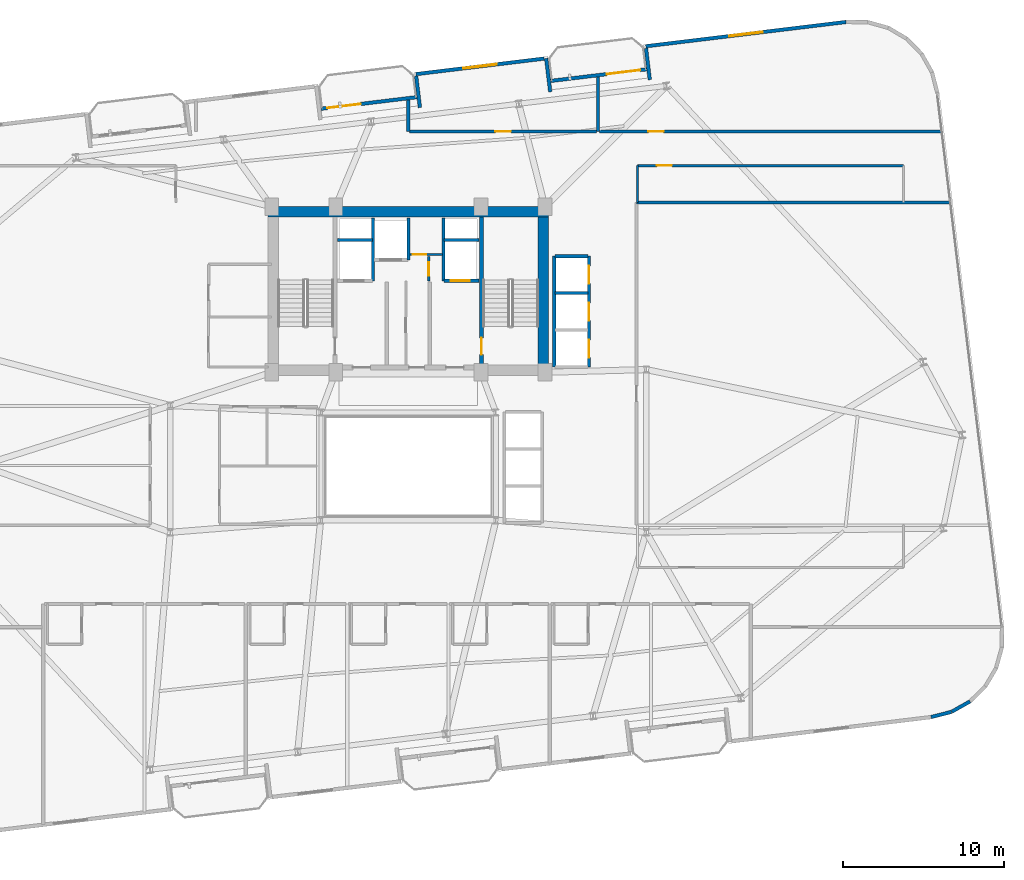
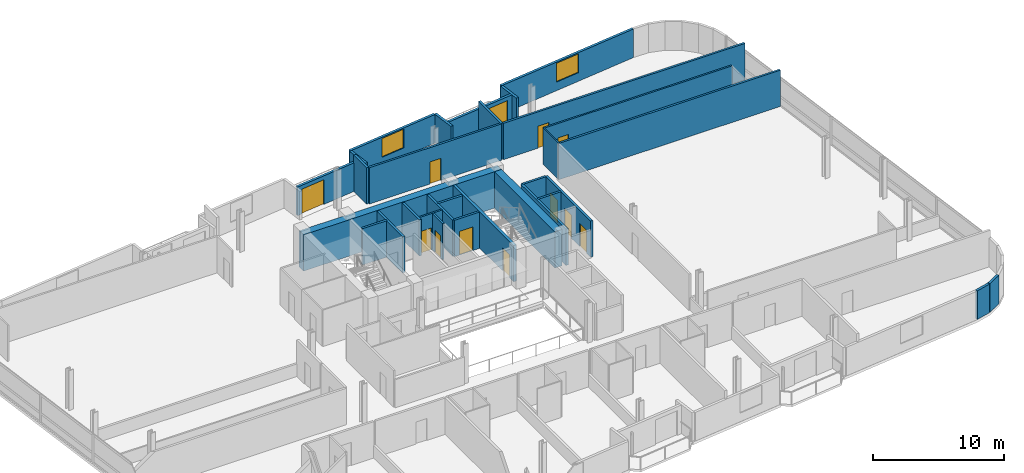
# One storey, part 17 of 22: 31 walls, 12 doors, 2 windows, 14 openings.
"""IFC4 building model written with IfcOpenShell, lengths in metres."""

from ifc_helpers import new_model, si_unit, direction, frame, frame_2d, origin, place, context, subcontext, project, spatial, rectangle, extrude, material, layer, layer_set, type_object, element, fill, save


model = new_model("IFC4")

# Units and contexts
model_context = context("Model", 3, precision=1e-05, world=origin(), true_north=direction((0.0, 1.0)))
body_context = subcontext(model_context, "Body", "Model", "MODEL_VIEW")
ifc_project = project(units=[si_unit("LENGTHUNIT", "METRE"), si_unit("AREAUNIT", "SQUARE_METRE"), si_unit("VOLUMEUNIT", "CUBIC_METRE"), si_unit("PLANEANGLEUNIT", "RADIAN"), si_unit("MASSUNIT", "GRAM", prefix="KILO")], contexts=[model_context])

# Site, building, storey
site_placement = place(None, origin())
site = spatial("IfcSite", under=ifc_project, at=site_placement, CompositionType="ELEMENT")
building_placement = place(site_placement, origin())
building = spatial("IfcBuilding", under=site, at=building_placement, Name="Varnelok Gate Tower", CompositionType="ELEMENT")
storey_placement = place(building_placement, frame((0.0, 0.0, 204.199951171875)))
storey = spatial("IfcBuildingStorey", under=building, at=storey_placement, Name="L52", CompositionType="ELEMENT", Elevation=204.199951171875)

# Wall, opening, door
ifc_material_1 = material(Name="Concrete C45/55", Category="concrete")
ifc_layer_1 = layer(ifc_material_1, 0.219970703125)
ifc_layer_set_1 = layer_set([ifc_layer_1], Name="Concrete C45/55")
wall_type_1 = type_object("IfcWallType", Name="EW-BALC-220", PredefinedType="SOLIDWALL", material=ifc_layer_set_1)
wall_1_placement = place(storey_placement, frame((33.772705078125, 45.14111328125, 0.0), z_axis=(0.0, 0.0, 1.0), x_axis=(0.992735402148, 0.120318000826, 0.0)))
wall_1 = element("IfcWall", 1, at=wall_1_placement, inside=storey, type_object=wall_type_1, Name="L52 North Terrace Envelope Wall 5", PredefinedType="SOLIDWALL", context=body_context, shape_type="SweptSolid", body=[
    extrude(rectangle(XDim=6.000244140625, YDim=0.219970703125, at=frame_2d((3.0, 0.0))), origin(), (0.0, 0.0, 1.0), 2.66015625),
])
opening_1_placement = place(wall_1_placement, frame((0.39990234375, 0.0, 0.0)))
opening_1 = element("IfcOpeningElement", 2, at=opening_1_placement, cuts=wall_1, Name="Opening BD-2", PredefinedType="OPENING", context=body_context, shape_type="SweptSolid", body=[
    extrude(rectangle(XDim=2.10009765625, YDim=2.300048828125, at=frame_2d((1.050048828125, 1.14990234375))), frame((0.0, 0.119873046875, 0.0), z_axis=(0.0, -1.0, 0.0), x_axis=(1.0, 0.0, 0.0)), (0.0, 0.0, 1.0), 0.239990234375),
])
ifc_material_2 = material(Name="Anodized Aluminum Alloy 6063-T6", Category="aluminium")
door_type_1 = type_object("IfcDoorType", Name="DR-EXT-SLID2100", OperationType="SLIDING_TO_LEFT", PredefinedType="DOOR", material=ifc_material_2)
door_1_placement = place(opening_1_placement, origin())
door_1 = element("IfcDoor", 3, at=door_1_placement, inside=storey, type_object=door_type_1, Name="L52 North Balcony Glazed Door 5", OperationType="SLIDING_TO_LEFT", OverallHeight=2.300048828125, OverallWidth=2.10009765625, PredefinedType="DOOR", context=body_context, shape_type="SweptSolid", body=[
    extrude(rectangle(XDim=2.10009765625, YDim=2.300048828125, at=frame_2d((1.050048828125, 1.14990234375))), frame((0.0, 0.02490234375, 0.0), z_axis=(0.0, -1.0, 0.0), x_axis=(1.0, 0.0, 0.0)), (0.0, 0.0, 1.0), 0.050048828125),
])
fill(opening_1, door_1)

wall_2_placement = place(storey_placement, frame((48.068115234375, 46.8740234375, 0.0), z_axis=(0.0, 0.0, 1.0), x_axis=(0.992729951822, 0.120362962556, 0.0)))
wall_2 = element("IfcWall", 4, at=wall_2_placement, inside=storey, type_object=wall_type_1, Name="L52 North Terrace Envelope Wall 6", PredefinedType="SOLIDWALL", context=body_context, shape_type="SweptSolid", body=[
    extrude(rectangle(XDim=6.0, YDim=0.219970703125, at=frame_2d((3.0, 0.0))), origin(), (0.0, 0.0, 1.0), 2.66015625),
])
opening_2_placement = place(wall_2_placement, frame((3.5, 0.0, 0.0)))
opening_2 = element("IfcOpeningElement", 5, at=opening_2_placement, cuts=wall_2, Name="Opening BD-2", PredefinedType="OPENING", context=body_context, shape_type="SweptSolid", body=[
    extrude(rectangle(XDim=2.10009765625, YDim=2.300048828125, at=frame_2d((1.050048828125, 1.14990234375))), frame((0.0, 0.119873046875, 0.0), z_axis=(0.0, -1.0, 0.0), x_axis=(1.0, 0.0, 0.0)), (0.0, 0.0, 1.0), 0.239990234375),
])
door_2_placement = place(opening_2_placement, origin())
door_2 = element("IfcDoor", 6, at=door_2_placement, inside=storey, type_object=door_type_1, Name="L52 North Balcony Glazed Door 6", OperationType="SLIDING_TO_LEFT", OverallHeight=2.300048828125, OverallWidth=2.10009765625, PredefinedType="DOOR", context=body_context, shape_type="SweptSolid", body=[
    extrude(rectangle(XDim=2.10009765625, YDim=2.300048828125, at=frame_2d((1.050048828125, 1.14990234375))), frame((0.0, 0.02490234375, 0.0), z_axis=(0.0, -1.0, 0.0), x_axis=(1.0, 0.0, 0.0)), (0.0, 0.0, 1.0), 0.050048828125),
])
fill(opening_2, door_2)

# Walls
wall_3_placement = place(storey_placement, frame((71.71875, 7.305908203125, 0.0), z_axis=(0.0, 0.0, 1.0), x_axis=(0.968541764193, 0.248851061909, 0.0)))
element("IfcWall", 7, at=wall_3_placement, inside=storey, type_object=wall_type_1, Name="L52 Perimeter Facade Closure Wall 17", PredefinedType="SOLIDWALL", context=body_context, shape_type="SweptSolid", body=[
    extrude(rectangle(XDim=1.308837890625, YDim=0.219970703125, at=frame_2d((0.654296875, 0.0))), origin(), (0.0, 0.0, 1.0), 2.66015625),
])
wall_4_placement = place(storey_placement, frame((73.00830078125, 7.64404296875, 0.0), z_axis=(0.0, 0.0, 1.0), x_axis=(0.87105877335, 0.491178799797, 0.0)))
element("IfcWall", 8, at=wall_4_placement, inside=storey, type_object=wall_type_1, Name="L52 Perimeter Facade Closure Wall 18", PredefinedType="SOLIDWALL", context=body_context, shape_type="SweptSolid", body=[
    extrude(rectangle(XDim=1.30078125, YDim=0.219970703125, at=frame_2d((0.650390625, 0.0))), origin(), (0.0, 0.0, 1.0), 2.66015625),
])

# Wall, opening, window
wall_5_placement = place(storey_placement, frame((66.427490234375, 50.5400390625, 0.0), z_axis=(0.0, 0.0, 1.0), x_axis=(-0.992731739233, -0.120348219431, 0.0)))
wall_5 = element("IfcWall", 9, at=wall_5_placement, inside=storey, type_object=wall_type_1, Name="L52 Perimeter Facade Closure Wall 29", PredefinedType="SOLIDWALL", context=body_context, shape_type="SweptSolid", body=[
    extrude(rectangle(XDim=12.547119140625, YDim=0.219970703125, at=frame_2d((6.2734375, 0.0))), origin(), (0.0, 0.0, 1.0), 2.66015625),
])
opening_3_placement = place(wall_5_placement, frame((5.2236328125, 0.0, 0.800048828125)))
opening_3 = element("IfcOpeningElement", 10, at=opening_3_placement, cuts=wall_5, Name="Opening WN4", PredefinedType="OPENING", context=body_context, shape_type="SweptSolid", body=[
    extrude(rectangle(XDim=2.10009765625, YDim=1.75, at=frame_2d((1.050048828125, 0.875))), frame((0.0, 0.119873046875, 0.0), z_axis=(0.0, -1.0, 0.0), x_axis=(1.0, 0.0, 0.0)), (0.0, 0.0, 1.0), 0.239990234375),
])
ifc_material_3 = material(Name="Low-E Laminated Double Glazing IGU", Category="glass")
window_type = type_object("IfcWindowType", Name="WN-SUI-2100", PartitioningType="SINGLE_PANEL", PredefinedType="WINDOW", material=ifc_material_3)
window_1_placement = place(opening_3_placement, origin())
window_1 = element("IfcWindow", 11, at=window_1_placement, inside=storey, type_object=window_type, Name="L52 Perimeter Vision Window 29", OverallHeight=1.75, OverallWidth=2.10009765625, PartitioningType="SINGLE_PANEL", PredefinedType="WINDOW", context=body_context, shape_type="SweptSolid", body=[
    extrude(rectangle(XDim=2.10009765625, YDim=1.75, at=frame_2d((1.050048828125, 0.875))), frame((0.0, 0.030029296875, 0.0), z_axis=(0.0, -1.0, 0.0), x_axis=(1.0, 0.0, 0.0)), (0.0, 0.0, 1.0), 0.06005859375),
])
fill(opening_3, window_1)

# Walls
wall_6_placement = place(storey_placement, frame((53.986572265625, 48.906005859375, 0.0), z_axis=(0.0, 0.0, 1.0), x_axis=(0.120397815541, -0.992725725472, 0.0)))
element("IfcWall", 12, at=wall_6_placement, inside=storey, type_object=wall_type_1, Name="L52 Perimeter Facade Closure Wall 30", PredefinedType="SOLIDWALL", context=body_context, shape_type="SweptSolid", body=[
    extrude(rectangle(XDim=1.97509765625, YDim=0.219970703125, at=frame_2d((0.987548828125, 0.0))), origin(), (0.0, 0.0, 1.0), 2.66015625),
])
wall_7_placement = place(storey_placement, frame((48.029541015625, 46.1943359375, 0.0), z_axis=(0.0, 0.0, 1.0), x_axis=(-0.120314009587, 0.992735885871, 0.0)))
element("IfcWall", 13, at=wall_7_placement, inside=storey, type_object=wall_type_1, Name="L52 Perimeter Facade Closure Wall 31", PredefinedType="SOLIDWALL", context=body_context, shape_type="SweptSolid", body=[
    extrude(rectangle(XDim=2.10009765625, YDim=0.219970703125, at=frame_2d((1.050048828125, 0.0))), origin(), (0.0, 0.0, 1.0), 2.66015625),
])

# Wall, opening, window
wall_8_placement = place(storey_placement, frame((47.65283203125, 48.26416015625, 0.0), z_axis=(0.0, 0.0, 1.0), x_axis=(-0.992731032022, -0.120354052946, 0.0)))
wall_8 = element("IfcWall", 14, at=wall_8_placement, inside=storey, type_object=wall_type_1, Name="L52 Perimeter Facade Closure Wall 32", PredefinedType="SOLIDWALL", context=body_context, shape_type="SweptSolid", body=[
    extrude(rectangle(XDim=8.034912109375, YDim=0.219970703125, at=frame_2d((4.017578125, 0.0))), origin(), (0.0, 0.0, 1.0), 2.66015625),
])
opening_4_placement = place(wall_8_placement, frame((2.967529296875, 0.0, 0.800048828125)))
opening_4 = element("IfcOpeningElement", 15, at=opening_4_placement, cuts=wall_8, Name="Opening WN4", PredefinedType="OPENING", context=body_context, shape_type="SweptSolid", body=[
    extrude(rectangle(XDim=2.10009765625, YDim=1.75, at=frame_2d((1.050048828125, 0.875))), frame((0.0, 0.119873046875, 0.0), z_axis=(0.0, -1.0, 0.0), x_axis=(1.0, 0.0, 0.0)), (0.0, 0.0, 1.0), 0.239990234375),
])
window_2_placement = place(opening_4_placement, origin())
window_2 = element("IfcWindow", 16, at=window_2_placement, inside=storey, type_object=window_type, Name="L52 Perimeter Vision Window 32", OverallHeight=1.75, OverallWidth=2.10009765625, PartitioningType="SINGLE_PANEL", PredefinedType="WINDOW", context=body_context, shape_type="SweptSolid", body=[
    extrude(rectangle(XDim=2.10009765625, YDim=1.75, at=frame_2d((1.050048828125, 0.875))), frame((0.0, 0.030029296875, 0.0), z_axis=(0.0, -1.0, 0.0), x_axis=(1.0, 0.0, 0.0)), (0.0, 0.0, 1.0), 0.06005859375),
])
fill(opening_4, window_2)

# Wall
wall_9_placement = place(storey_placement, frame((39.691162109375, 47.173095703125, 0.0), z_axis=(0.0, 0.0, 1.0), x_axis=(0.120397815541, -0.992725725472, 0.0)))
element("IfcWall", 17, at=wall_9_placement, inside=storey, type_object=wall_type_1, Name="L52 Perimeter Facade Closure Wall 33", PredefinedType="SOLIDWALL", context=body_context, shape_type="SweptSolid", body=[
    extrude(rectangle(XDim=1.97509765625, YDim=0.219970703125, at=frame_2d((0.987548828125, 0.0))), origin(), (0.0, 0.0, 1.0), 2.66015625),
])

# Wall, opening, door
ifc_material_4 = material(Name="Gypsum Plasterboard Acoustic Partition", Category="gypsum")
ifc_layer_2 = layer(ifc_material_4, 0.179931640625)
ifc_layer_set_2 = layer_set([ifc_layer_2], Name="Gypsum Plasterboard Acoustic Partition")
wall_type_2 = type_object("IfcWallType", Name="PW-CORR-180", PredefinedType="PARTITIONING", material=ifc_layer_set_2)
wall_10_placement = place(storey_placement, frame((39.280029296875, 43.72998046875, 0.0), z_axis=(0.0, 0.0, 1.0), x_axis=(1.0, 0.0, 0.0)))
wall_10 = element("IfcWall", 18, at=wall_10_placement, inside=storey, type_object=wall_type_2, Name="Interior Partition", PredefinedType="PARTITIONING", context=body_context, shape_type="SweptSolid", body=[
    extrude(rectangle(XDim=11.639892578125, YDim=0.179931640625, at=frame_2d((5.81982421875, 0.0))), origin(), (0.0, 0.0, 1.0), 3.380126953125),
])
opening_5_placement = place(wall_10_placement, frame((5.344970703125, 0.0, 0.0)))
opening_5 = element("IfcOpeningElement", 19, at=opening_5_placement, cuts=wall_10, Name="Opening D-I2", PredefinedType="OPENING", context=body_context, shape_type="SweptSolid", body=[
    extrude(rectangle(XDim=0.949951171875, YDim=2.050048828125, at=frame_2d((0.47509765625, 1.02490234375))), frame((0.0, 0.099853515625, 0.0), z_axis=(0.0, -1.0, 0.0), x_axis=(1.0, 0.0, 0.0)), (0.0, 0.0, 1.0), 0.199951171875),
])
ifc_material_5 = material(Name="Engineered Hardwood Timber", Category="wood")
door_type_2 = type_object("IfcDoorType", Name="DR-INT-950", OperationType="NOTDEFINED", PredefinedType="DOOR", material=ifc_material_5)
door_3_placement = place(opening_5_placement, origin())
door_3 = element("IfcDoor", 20, at=door_3_placement, inside=storey, type_object=door_type_2, Name="L52 Wellness Spa Lounge Door", OperationType="SINGLE_SWING_LEFT", OverallHeight=2.050048828125, OverallWidth=0.949951171875, PredefinedType="DOOR", context=body_context, shape_type="SweptSolid", body=[
    extrude(rectangle(XDim=0.949951171875, YDim=2.050048828125, at=frame_2d((0.47509765625, 1.02490234375))), frame((0.0, 0.02490234375, 0.0), z_axis=(0.0, -1.0, 0.0), x_axis=(1.0, 0.0, 0.0)), (0.0, 0.0, 1.0), 0.050048828125),
])
fill(opening_5, door_3)

wall_11_placement = place(storey_placement, frame((51.080078125, 43.72998046875, 0.0), z_axis=(0.0, 0.0, 1.0), x_axis=(1.0, 0.0, 0.0)))
wall_11 = element("IfcWall", 21, at=wall_11_placement, inside=storey, type_object=wall_type_2, Name="Interior Partition", PredefinedType="PARTITIONING", context=body_context, shape_type="SweptSolid", body=[
    extrude(rectangle(XDim=21.26318359375, YDim=0.179931640625, at=frame_2d((10.631591796875, 0.0))), origin(), (0.0, 0.0, 1.0), 3.380126953125),
])
opening_6_placement = place(wall_11_placement, frame((3.054931640625, 0.0, 0.0)))
opening_6 = element("IfcOpeningElement", 22, at=opening_6_placement, cuts=wall_11, Name="Opening D-I2", PredefinedType="OPENING", context=body_context, shape_type="SweptSolid", body=[
    extrude(rectangle(XDim=0.949951171875, YDim=2.050048828125, at=frame_2d((0.47509765625, 1.02490234375))), frame((0.0, 0.099853515625, 0.0), z_axis=(0.0, -1.0, 0.0), x_axis=(1.0, 0.0, 0.0)), (0.0, 0.0, 1.0), 0.199951171875),
])
door_4_placement = place(opening_6_placement, origin())
door_4 = element("IfcDoor", 23, at=door_4_placement, inside=storey, type_object=door_type_2, Name="L52 Children Playroom Door", OperationType="SINGLE_SWING_LEFT", OverallHeight=2.050048828125, OverallWidth=0.949951171875, PredefinedType="DOOR", context=body_context, shape_type="SweptSolid", body=[
    extrude(rectangle(XDim=0.949951171875, YDim=2.050048828125, at=frame_2d((0.47509765625, 1.02490234375))), frame((0.0, 0.02490234375, 0.0), z_axis=(0.0, -1.0, 0.0), x_axis=(1.0, 0.0, 0.0)), (0.0, 0.0, 1.0), 0.050048828125),
])
fill(opening_6, door_4)

# Walls
wall_12_placement = place(storey_placement, frame((53.389892578125, 39.300048828125, 0.0), z_axis=(0.0, 0.0, 1.0), x_axis=(1.0, 0.0, 0.0)))
element("IfcWall", 24, at=wall_12_placement, inside=storey, type_object=wall_type_2, Name="Interior Partition", PredefinedType="PARTITIONING", context=body_context, shape_type="SweptSolid", body=[
    extrude(rectangle(XDim=19.490234375, YDim=0.179931640625, at=frame_2d((9.7451171875, 0.0))), origin(), (0.0, 0.0, 1.0), 3.380126953125),
])
ifc_layer_3 = layer(ifc_material_4, 0.125)
ifc_layer_set_3 = layer_set([ifc_layer_3], Name="Gypsum Plasterboard Acoustic Partition")
wall_type_3 = type_object("IfcWallType", Name="PW-PART-125", PredefinedType="PARTITIONING", material=ifc_layer_set_3)
wall_13_placement = place(storey_placement, frame((53.449951171875, 39.300048828125, 0.0), z_axis=(0.0, 0.0, 1.0), x_axis=(0.0, 1.0, 0.0)))
element("IfcWall", 25, at=wall_13_placement, inside=storey, type_object=wall_type_3, Name="Interior Partition", PredefinedType="PARTITIONING", context=body_context, shape_type="SweptSolid", body=[
    extrude(rectangle(XDim=2.31005859375, YDim=0.125, at=frame_2d((1.155029296875, 0.0))), origin(), (0.0, 0.0, 1.0), 3.380126953125),
])

# Wall, opening, door
ifc_layer_4 = layer(ifc_material_4, 0.14990234375)
ifc_layer_set_4 = layer_set([ifc_layer_4], Name="Gypsum Plasterboard Acoustic Partition")
wall_type_4 = type_object("IfcWallType", Name="PW-PART-150", PredefinedType="PARTITIONING", material=ifc_layer_set_4)
wall_14_placement = place(storey_placement, frame((53.449951171875, 41.610107421875, 0.0), z_axis=(0.0, 0.0, 1.0), x_axis=(1.0, 0.0, 0.0)))
wall_14 = element("IfcWall", 26, at=wall_14_placement, inside=storey, type_object=wall_type_4, Name="Interior Partition", PredefinedType="PARTITIONING", context=body_context, shape_type="SweptSolid", body=[
    extrude(rectangle(XDim=16.550048828125, YDim=0.14990234375, at=frame_2d((8.27490234375, 0.0))), origin(), (0.0, 0.0, 1.0), 3.380126953125),
])
opening_7_placement = place(wall_14_placement, frame((1.219970703125, 0.0, 0.0)))
opening_7 = element("IfcOpeningElement", 27, at=opening_7_placement, cuts=wall_14, Name="Opening D-I3", PredefinedType="OPENING", context=body_context, shape_type="SweptSolid", body=[
    extrude(rectangle(XDim=0.919921875, YDim=2.050048828125, at=frame_2d((0.4599609375, 1.02490234375))), frame((0.0, 0.0849609375, 0.0), z_axis=(0.0, -1.0, 0.0), x_axis=(1.0, 0.0, 0.0)), (0.0, 0.0, 1.0), 0.169921875),
])
door_type_3 = type_object("IfcDoorType", Name="DR-INT-920", OperationType="NOTDEFINED", PredefinedType="DOOR", material=ifc_material_5)
door_5_placement = place(opening_7_placement, origin())
door_5 = element("IfcDoor", 28, at=door_5_placement, inside=storey, type_object=door_type_3, Name="L52 North Study 2 Door", OperationType="SINGLE_SWING_RIGHT", OverallHeight=2.050048828125, OverallWidth=0.919921875, PredefinedType="DOOR", context=body_context, shape_type="SweptSolid", body=[
    extrude(rectangle(XDim=0.919921875, YDim=2.050048828125, at=frame_2d((0.4599609375, 1.02490234375))), frame((0.0, 0.02490234375, 0.0), z_axis=(0.0, -1.0, 0.0), x_axis=(1.0, 0.0, 0.0)), (0.0, 0.0, 1.0), 0.050048828125),
])
fill(opening_7, door_5)

wall_15_placement = place(storey_placement, frame((39.300048828125, 36.080078125, 0.0), z_axis=(0.0, 0.0, 1.0), x_axis=(1.0, 0.0, 0.0)))
wall_15 = element("IfcWall", 29, at=wall_15_placement, inside=storey, type_object=wall_type_4, Name="L52 Electrical Closet South Wall", PredefinedType="PARTITIONING", context=body_context, shape_type="SweptSolid", body=[
    extrude(rectangle(XDim=2.02001953125, YDim=0.14990234375, at=frame_2d((1.010009765625, 0.0))), origin(), (0.0, 0.0, 1.0), 3.380126953125),
])
opening_8_placement = place(wall_15_placement, frame((0.179931640625, 0.0, 0.0)))
opening_8 = element("IfcOpeningElement", 30, at=opening_8_placement, cuts=wall_15, Name="Opening D-RS", PredefinedType="OPENING", context=body_context, shape_type="SweptSolid", body=[
    extrude(rectangle(XDim=0.85009765625, YDim=2.050048828125, at=frame_2d((0.425048828125, 1.02490234375))), frame((0.0, 0.0849609375, 0.0), z_axis=(0.0, -1.0, 0.0), x_axis=(1.0, 0.0, 0.0)), (0.0, 0.0, 1.0), 0.169921875),
])
ifc_material_6 = material(Name="Galvanized Steel Grade S350GD", Category="steel")
door_type_4 = type_object("IfcDoorType", Name="DR-RISER-850", OperationType="NOTDEFINED", PredefinedType="DOOR", material=ifc_material_6)
door_6_placement = place(opening_8_placement, origin())
door_6 = element("IfcDoor", 31, at=door_6_placement, inside=storey, type_object=door_type_4, Name="L52 Electrical Closet Door", OperationType="SINGLE_SWING_RIGHT", OverallHeight=2.050048828125, OverallWidth=0.85009765625, PredefinedType="DOOR", context=body_context, shape_type="SweptSolid", body=[
    extrude(rectangle(XDim=0.85009765625, YDim=2.050048828125, at=frame_2d((0.425048828125, 1.02490234375))), frame((0.0, 0.02490234375, 0.0), z_axis=(0.0, -1.0, 0.0), x_axis=(1.0, 0.0, 0.0)), (0.0, 0.0, 1.0), 0.050048828125),
])
fill(opening_8, door_6)

wall_16_placement = place(storey_placement, frame((40.47998046875, 34.43994140625, 0.0), z_axis=(0.0, 0.0, 1.0), x_axis=(0.0, 1.0, 0.0)))
wall_16 = element("IfcWall", 32, at=wall_16_placement, inside=storey, type_object=wall_type_4, Name="L52 Telecoms Closet West Wall", PredefinedType="PARTITIONING", context=body_context, shape_type="SweptSolid", body=[
    extrude(rectangle(XDim=1.52001953125, YDim=0.14990234375, at=frame_2d((0.760009765625, 0.0))), origin(), (0.0, 0.0, 1.0), 3.380126953125),
])
opening_9_placement = place(wall_16_placement, frame((0.320068359375, 0.0, 0.0)))
opening_9 = element("IfcOpeningElement", 33, at=opening_9_placement, cuts=wall_16, Name="Opening D-RS", PredefinedType="OPENING", context=body_context, shape_type="SweptSolid", body=[
    extrude(rectangle(XDim=0.85009765625, YDim=2.050048828125, at=frame_2d((0.425048828125, 1.02490234375))), frame((0.0, 0.0849609375, 0.0), z_axis=(0.0, -1.0, 0.0), x_axis=(1.0, 0.0, 0.0)), (0.0, 0.0, 1.0), 0.169921875),
])
door_7_placement = place(opening_9_placement, origin())
door_7 = element("IfcDoor", 34, at=door_7_placement, inside=storey, type_object=door_type_4, Name="L52 Telecoms Closet Door", OperationType="SINGLE_SWING_LEFT", OverallHeight=2.050048828125, OverallWidth=0.85009765625, PredefinedType="DOOR", context=body_context, shape_type="SweptSolid", body=[
    extrude(rectangle(XDim=0.85009765625, YDim=2.050048828125, at=frame_2d((0.425048828125, 1.02490234375))), frame((0.0, 0.02490234375, 0.0), z_axis=(0.0, -1.0, 0.0), x_axis=(1.0, 0.0, 0.0)), (0.0, 0.0, 1.0), 0.050048828125),
])
fill(opening_9, door_7)

# Walls
ifc_layer_5 = layer(ifc_material_4, 0.205078125)
ifc_layer_set_5 = layer_set([ifc_layer_5], Name="Gypsum Plasterboard Acoustic Partition")
wall_type_5 = type_object("IfcWallType", Name="PW-PARTY-200", PredefinedType="PARTITIONING", material=ifc_layer_set_5)
wall_17_placement = place(storey_placement, frame((39.199951171875, 43.72998046875, 0.0), z_axis=(0.0, 0.0, 1.0), x_axis=(0.0, 1.0, 0.0)))
element("IfcWall", 35, at=wall_17_placement, inside=storey, type_object=wall_type_5, Name="L52 North Party Wall 2", PredefinedType="PARTITIONING", context=body_context, shape_type="SweptSolid", body=[
    extrude(rectangle(XDim=1.964111328125, YDim=0.205078125, at=frame_2d((0.98193359375, 0.0))), origin(), (0.0, 0.0, 1.0), 3.380126953125),
])
wall_18_placement = place(storey_placement, frame((51.0, 43.72998046875, 0.0), z_axis=(0.0, 0.0, 1.0), x_axis=(0.0, 1.0, 0.0)))
element("IfcWall", 36, at=wall_18_placement, inside=storey, type_object=wall_type_5, Name="L52 North Party Wall 3", PredefinedType="PARTITIONING", context=body_context, shape_type="SweptSolid", body=[
    extrude(rectangle(XDim=3.39453125, YDim=0.205078125, at=frame_2d((1.697265625, 0.0))), origin(), (0.0, 0.0, 1.0), 3.380126953125),
])
ifc_material_7 = material(Name="Concrete C35/45", Category="concrete")
ifc_layer_6 = layer(ifc_material_7, 0.199951171875)
ifc_layer_set_6 = layer_set([ifc_layer_6], Name="Concrete C35/45")
wall_type_6 = type_object("IfcWallType", Name="PW-SHAFT-200", PredefinedType="PARTITIONING", material=ifc_layer_set_6)
wall_19_placement = place(storey_placement, frame((34.800048828125, 36.97998046875, 0.0), z_axis=(0.0, 0.0, 1.0), x_axis=(1.0, 0.0, 0.0)))
element("IfcWall", 37, at=wall_19_placement, inside=storey, type_object=wall_type_6, Name="L52 FF1 Shaft North Wall", PredefinedType="PARTITIONING", context=body_context, shape_type="SweptSolid", body=[
    extrude(rectangle(XDim=2.179931640625, YDim=0.199951171875, at=frame_2d((1.08984375, 0.0))), origin(), (0.0, 0.0, 1.0), 3.380126953125),
])
wall_20_placement = place(storey_placement, frame((37.0, 34.43994140625, 0.0), z_axis=(0.0, 0.0, 1.0), x_axis=(0.0, 1.0, 0.0)))
element("IfcWall", 38, at=wall_20_placement, inside=storey, type_object=wall_type_6, Name="L52 FF1 Shaft Side Wall", PredefinedType="PARTITIONING", context=body_context, shape_type="SweptSolid", body=[
    extrude(rectangle(XDim=3.900146484375, YDim=0.199951171875, at=frame_2d((1.9501953125, 0.0))), origin(), (0.0, 0.0, 1.0), 3.380126953125),
])

# Wall, opening, door
wall_21_placement = place(storey_placement, frame((41.419921875, 34.43994140625, 0.0), z_axis=(0.0, 0.0, 1.0), x_axis=(1.0, 0.0, 0.0)))
wall_21 = element("IfcWall", 39, at=wall_21_placement, inside=storey, type_object=wall_type_6, Name="L52 FF2 Shaft Front Wall", PredefinedType="PARTITIONING", context=body_context, shape_type="SweptSolid", body=[
    extrude(rectangle(XDim=2.18017578125, YDim=0.199951171875, at=frame_2d((1.090087890625, 0.0))), origin(), (0.0, 0.0, 1.0), 3.380126953125),
])
opening_10_placement = place(wall_21_placement, frame((0.419921875, 0.0, 0.0)))
opening_10 = element("IfcOpeningElement", 40, at=opening_10_placement, cuts=wall_21, Name="Opening LD-FF2", PredefinedType="OPENING", context=body_context, shape_type="SweptSolid", body=[
    extrude(rectangle(XDim=1.199951171875, YDim=2.199951171875, at=frame_2d((0.60009765625, 1.10009765625))), frame((0.0, 0.10986328125, 0.0), z_axis=(0.0, -1.0, 0.0), x_axis=(1.0, 0.0, 0.0)), (0.0, 0.0, 1.0), 0.219970703125),
])
door_type_5 = type_object("IfcDoorType", Name="DR-LIFT-FF1200", OperationType="SLIDING_TO_LEFT", PredefinedType="DOOR", material=ifc_material_6)
door_8_placement = place(opening_10_placement, origin())
door_8 = element("IfcDoor", 41, at=door_8_placement, inside=storey, type_object=door_type_5, Name="L52 Firefighting Lift Landing Door LD-FF2", OperationType="SLIDING_TO_LEFT", OverallHeight=2.199951171875, OverallWidth=1.199951171875, PredefinedType="DOOR", context=body_context, shape_type="SweptSolid", body=[
    extrude(rectangle(XDim=1.199951171875, YDim=2.199951171875, at=frame_2d((0.60009765625, 1.10009765625))), frame((0.0, 0.02490234375, 0.0), z_axis=(0.0, -1.0, 0.0), x_axis=(1.0, 0.0, 0.0)), (0.0, 0.0, 1.0), 0.050048828125),
])
fill(opening_10, door_8)

# Walls
wall_22_placement = place(storey_placement, frame((41.419921875, 36.97998046875, 0.0), z_axis=(0.0, 0.0, 1.0), x_axis=(1.0, 0.0, 0.0)))
element("IfcWall", 42, at=wall_22_placement, inside=storey, type_object=wall_type_6, Name="L52 FF2 Shaft North Wall", PredefinedType="PARTITIONING", context=body_context, shape_type="SweptSolid", body=[
    extrude(rectangle(XDim=2.18017578125, YDim=0.199951171875, at=frame_2d((1.090087890625, 0.0))), origin(), (0.0, 0.0, 1.0), 3.380126953125),
])
wall_23_placement = place(storey_placement, frame((41.39990234375, 34.43994140625, 0.0), z_axis=(0.0, 0.0, 1.0), x_axis=(0.0, 1.0, 0.0)))
element("IfcWall", 43, at=wall_23_placement, inside=storey, type_object=wall_type_6, Name="L52 FF2 Shaft Side Wall", PredefinedType="PARTITIONING", context=body_context, shape_type="SweptSolid", body=[
    extrude(rectangle(XDim=3.900146484375, YDim=0.199951171875, at=frame_2d((1.9501953125, 0.0))), origin(), (0.0, 0.0, 1.0), 3.380126953125),
])
wall_24_placement = place(storey_placement, frame((39.219970703125, 35.75, 0.0), z_axis=(0.0, 0.0, 1.0), x_axis=(0.0, 1.0, 0.0)))
element("IfcWall", 44, at=wall_24_placement, inside=storey, type_object=wall_type_6, Name="L52 SV1 Shaft East Wall", PredefinedType="PARTITIONING", context=body_context, shape_type="SweptSolid", body=[
    extrude(rectangle(XDim=2.590087890625, YDim=0.199951171875, at=frame_2d((1.294921875, 0.0))), origin(), (0.0, 0.0, 1.0), 3.380126953125),
])
for number, where, z_axis, x_axis, name in (
    (45, (48.320068359375, 33.675048828125, 0.0), (0.0, 0.0, 1.0), (1.0, 0.0, 0.0), "L52 PM2 Divider"),
    (46, (48.320068359375, 35.969970703125, 0.0), (0.0, 0.0, 1.0), (1.0, 0.0, 0.0), "L52 PM Bank North Wall"),
):
    element("IfcWall", number, at=place(storey_placement, frame(where, z_axis=z_axis, x_axis=x_axis)), inside=storey, type_object=wall_type_6, Name=name, PredefinedType="PARTITIONING", context=body_context, shape_type="SweptSolid", body=[
        extrude(rectangle(XDim=2.059814453125, YDim=0.199951171875, at=frame_2d((1.02978515625, 0.0))), origin(), (0.0, 0.0, 1.0), 3.380126953125),
    ])
wall_25_placement = place(storey_placement, frame((48.280029296875, 29.080078125, 0.0), z_axis=(0.0, 0.0, 1.0), x_axis=(0.0, 1.0, 0.0)))
element("IfcWall", 47, at=wall_25_placement, inside=storey, type_object=wall_type_6, Name="L52 PM Bank Back Wall", PredefinedType="PARTITIONING", context=body_context, shape_type="SweptSolid", body=[
    extrude(rectangle(XDim=6.889892578125, YDim=0.199951171875, at=frame_2d((3.44482421875, 0.0))), origin(), (0.0, 0.0, 1.0), 3.380126953125),
])

# Wall, openings, doors
wall_26_placement = place(storey_placement, frame((50.43994140625, 29.080078125, 0.0), z_axis=(0.0, 0.0, 1.0), x_axis=(0.0, 1.0, 0.0)))
wall_26 = element("IfcWall", 48, at=wall_26_placement, inside=storey, type_object=wall_type_6, Name="L52 PM Bank Front Wall", PredefinedType="PARTITIONING", context=body_context, shape_type="SweptSolid", body=[
    extrude(rectangle(XDim=6.889892578125, YDim=0.199951171875, at=frame_2d((3.44482421875, 0.0))), origin(), (0.0, 0.0, 1.0), 3.380126953125),
])
opening_11_placement = place(wall_26_placement, frame((0.590087890625, 0.0, 0.0)))
opening_11 = element("IfcOpeningElement", 49, at=opening_11_placement, cuts=wall_26, Name="Opening LD-PM1", PredefinedType="OPENING", context=body_context, shape_type="SweptSolid", body=[
    extrude(rectangle(XDim=1.10009765625, YDim=2.14990234375, at=frame_2d((0.550048828125, 1.074951171875))), frame((0.0, 0.10986328125, 0.0), z_axis=(0.0, -1.0, 0.0), x_axis=(1.0, 0.0, 0.0)), (0.0, 0.0, 1.0), 0.219970703125),
])
opening_12_placement = place(wall_26_placement, frame((2.889892578125, 0.0, 0.0)))
opening_12 = element("IfcOpeningElement", 50, at=opening_12_placement, cuts=wall_26, Name="Opening LD-PM2", PredefinedType="OPENING", context=body_context, shape_type="SweptSolid", body=[
    extrude(rectangle(XDim=1.10009765625, YDim=2.14990234375, at=frame_2d((0.550048828125, 1.074951171875))), frame((0.0, 0.10986328125, 0.0), z_axis=(0.0, -1.0, 0.0), x_axis=(1.0, 0.0, 0.0)), (0.0, 0.0, 1.0), 0.219970703125),
])
opening_13_placement = place(wall_26_placement, frame((5.18994140625, 0.0, 0.0)))
opening_13 = element("IfcOpeningElement", 51, at=opening_13_placement, cuts=wall_26, Name="Opening LD-PM3", PredefinedType="OPENING", context=body_context, shape_type="SweptSolid", body=[
    extrude(rectangle(XDim=1.10009765625, YDim=2.14990234375, at=frame_2d((0.550048828125, 1.074951171875))), frame((0.0, 0.10986328125, 0.0), z_axis=(0.0, -1.0, 0.0), x_axis=(1.0, 0.0, 0.0)), (0.0, 0.0, 1.0), 0.219970703125),
])
door_type_6 = type_object("IfcDoorType", Name="DR-LIFT-PAX1100", OperationType="SLIDING_TO_LEFT", PredefinedType="DOOR", material=ifc_material_6)
door_9_placement = place(opening_11_placement, origin())
door_9 = element("IfcDoor", 52, at=door_9_placement, inside=storey, type_object=door_type_6, Name="L52 Passenger Lift Landing Door LD-PM1", OperationType="SLIDING_TO_LEFT", OverallHeight=2.14990234375, OverallWidth=1.10009765625, PredefinedType="DOOR", context=body_context, shape_type="SweptSolid", body=[
    extrude(rectangle(XDim=1.10009765625, YDim=2.14990234375, at=frame_2d((0.550048828125, 1.074951171875))), frame((0.0, 0.02490234375, 0.0), z_axis=(0.0, -1.0, 0.0), x_axis=(1.0, 0.0, 0.0)), (0.0, 0.0, 1.0), 0.050048828125),
])
fill(opening_11, door_9)
door_10_placement = place(opening_12_placement, origin())
door_10 = element("IfcDoor", 53, at=door_10_placement, inside=storey, type_object=door_type_6, Name="L52 Passenger Lift Landing Door LD-PM2", OperationType="SLIDING_TO_LEFT", OverallHeight=2.14990234375, OverallWidth=1.10009765625, PredefinedType="DOOR", context=body_context, shape_type="SweptSolid", body=[
    extrude(rectangle(XDim=1.10009765625, YDim=2.14990234375, at=frame_2d((0.550048828125, 1.074951171875))), frame((0.0, 0.02490234375, 0.0), z_axis=(0.0, -1.0, 0.0), x_axis=(1.0, 0.0, 0.0)), (0.0, 0.0, 1.0), 0.050048828125),
])
fill(opening_12, door_10)
door_11_placement = place(opening_13_placement, origin())
door_11 = element("IfcDoor", 54, at=door_11_placement, inside=storey, type_object=door_type_6, Name="L52 Passenger Lift Landing Door LD-PM3", OperationType="SLIDING_TO_LEFT", OverallHeight=2.14990234375, OverallWidth=1.10009765625, PredefinedType="DOOR", context=body_context, shape_type="SweptSolid", body=[
    extrude(rectangle(XDim=1.10009765625, YDim=2.14990234375, at=frame_2d((0.550048828125, 1.074951171875))), frame((0.0, 0.02490234375, 0.0), z_axis=(0.0, -1.0, 0.0), x_axis=(1.0, 0.0, 0.0)), (0.0, 0.0, 1.0), 0.050048828125),
])
fill(opening_13, door_11)

# Walls
ifc_material_8 = material(Name="Concrete C60/75", Category="concrete")
ifc_layer_7 = layer(ifc_material_8, 0.64990234375)
ifc_layer_set_7 = layer_set([ifc_layer_7], Name="Concrete C60/75")
wall_type_7 = type_object("IfcWallType", Name="SW-CORE-650", PredefinedType="SHEAR", material=ifc_layer_set_7)
wall_27_placement = place(storey_placement, frame((30.47998046875, 38.7451171875, 0.0), z_axis=(0.0, 0.0, 1.0), x_axis=(1.0, 0.0, 0.0)))
element("IfcWall", 55, at=wall_27_placement, inside=storey, type_object=wall_type_7, Name="L52 Rear Core North Shear Wall", PredefinedType="SHEAR", context=body_context, shape_type="SweptSolid", body=[
    extrude(rectangle(XDim=17.43994140625, YDim=0.64990234375, at=frame_2d((8.719970703125, 0.0))), origin(), (0.0, 0.0, 1.0), 3.380126953125),
])
wall_28_placement = place(storey_placement, frame((47.594970703125, 29.199951171875, 0.0), z_axis=(0.0, 0.0, 1.0), x_axis=(0.0, 1.0, 0.0)))
element("IfcWall", 56, at=wall_28_placement, inside=storey, type_object=wall_type_7, Name="L52 Rear Core East Shear Wall", PredefinedType="SHEAR", context=body_context, shape_type="SweptSolid", body=[
    extrude(rectangle(XDim=9.219970703125, YDim=0.64990234375, at=frame_2d((4.60986328125, 0.0))), origin(), (0.0, 0.0, 1.0), 3.380126953125),
])

# Wall, opening, door
ifc_layer_8 = layer(ifc_material_8, 0.25)
ifc_layer_set_8 = layer_set([ifc_layer_8], Name="Concrete C60/75")
wall_type_8 = type_object("IfcWallType", Name="SW-SHAFT-250", PredefinedType="SHEAR", material=ifc_layer_set_8)
wall_29_placement = place(storey_placement, frame((43.760009765625, 29.199951171875, 0.0), z_axis=(0.0, 0.0, 1.0), x_axis=(0.0, 1.0, 0.0)))
wall_29 = element("IfcWall", 57, at=wall_29_placement, inside=storey, type_object=wall_type_8, Name="L52 Stair ST-2 West Shear Wall", PredefinedType="SHEAR", context=body_context, shape_type="SweptSolid", body=[
    extrude(rectangle(XDim=9.219970703125, YDim=0.25, at=frame_2d((4.60986328125, 0.0))), origin(), (0.0, 0.0, 1.0), 3.380126953125),
])
opening_14_placement = place(wall_29_placement, frame((0.64990234375, 0.0, 0.0)))
opening_14 = element("IfcOpeningElement", 58, at=opening_14_placement, cuts=wall_29, Name="Opening D-ST", PredefinedType="OPENING", context=body_context, shape_type="SweptSolid", body=[
    extrude(rectangle(XDim=1.050048828125, YDim=2.14990234375, at=frame_2d((0.52490234375, 1.074951171875))), frame((0.0, 0.135009765625, 0.0), z_axis=(0.0, -1.0, 0.0), x_axis=(1.0, 0.0, 0.0)), (0.0, 0.0, 1.0), 0.27001953125),
])
door_type_7 = type_object("IfcDoorType", Name="DR-STAIR-1050", OperationType="NOTDEFINED", PredefinedType="DOOR", material=ifc_material_6)
door_12_placement = place(opening_14_placement, origin())
door_12 = element("IfcDoor", 59, at=door_12_placement, inside=storey, type_object=door_type_7, Name="L52 Exit Stair ST-2 Fire Door", OperationType="SINGLE_SWING_RIGHT", OverallHeight=2.14990234375, OverallWidth=1.050048828125, PredefinedType="DOOR", context=body_context, shape_type="SweptSolid", body=[
    extrude(rectangle(XDim=1.050048828125, YDim=2.14990234375, at=frame_2d((0.52490234375, 1.074951171875))), frame((0.0, 0.02490234375, 0.0), z_axis=(0.0, -1.0, 0.0), x_axis=(1.0, 0.0, 0.0)), (0.0, 0.0, 1.0), 0.050048828125),
])
fill(opening_14, door_12)

save(model, "model.ifc")
